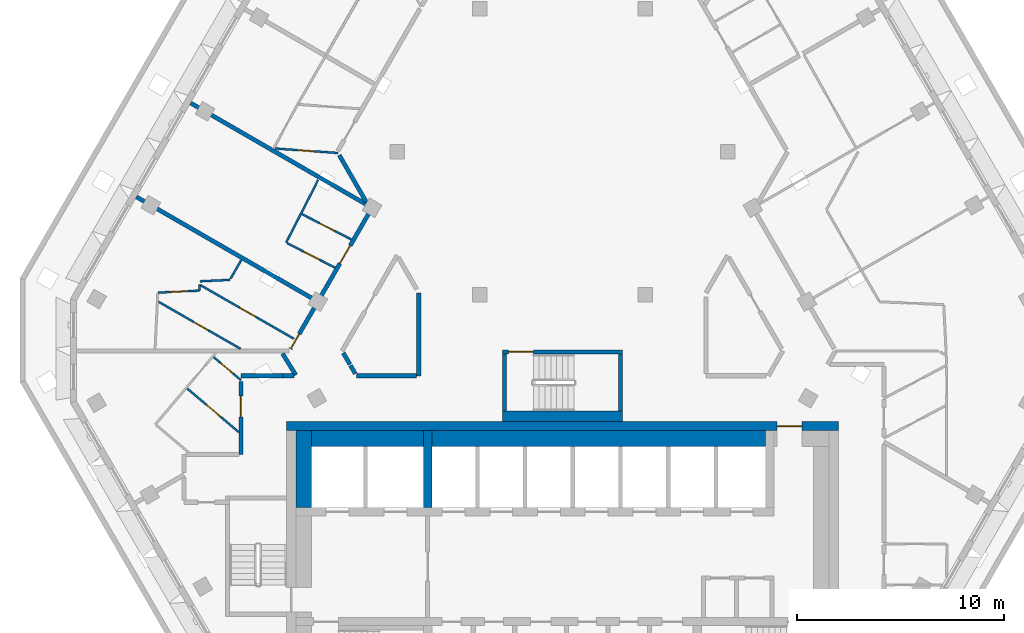
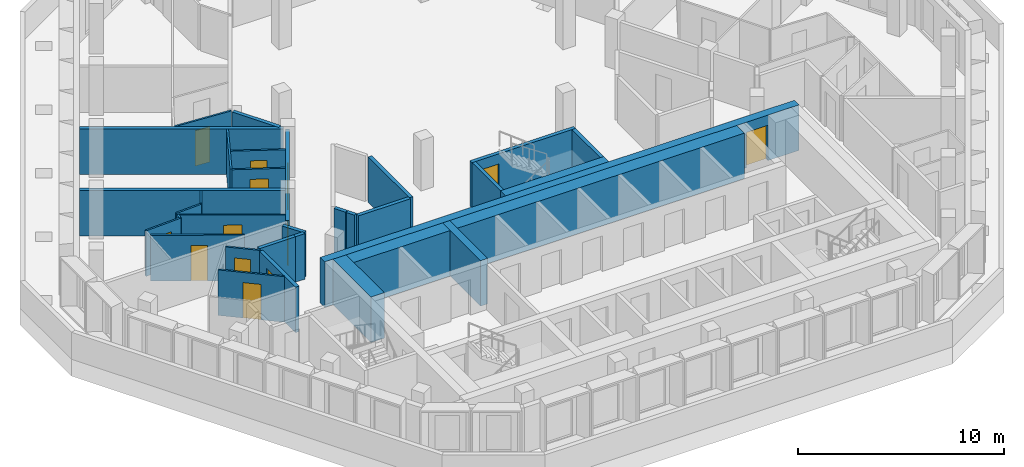
# One storey, part 4 of 15: 33 walls, 13 doors, 13 openings.
"""IFC4 building model written with IfcOpenShell, lengths in metres."""

from ifc_helpers import new_model, si_unit, direction, frame, frame_2d, origin, place, context, subcontext, project, spatial, rectangle, extrude, material, layer, layer_set, type_object, element, fill, save


model = new_model("IFC4")

# Units and contexts
model_context = context("Model", 3, precision=1e-05, world=origin(), true_north=direction((0.0, 1.0)))
body_context = subcontext(model_context, "Body", "Model", "MODEL_VIEW")
ifc_project = project(units=[si_unit("LENGTHUNIT", "METRE"), si_unit("AREAUNIT", "SQUARE_METRE"), si_unit("VOLUMEUNIT", "CUBIC_METRE"), si_unit("PLANEANGLEUNIT", "RADIAN"), si_unit("MASSUNIT", "GRAM", prefix="KILO")], contexts=[model_context])

# Site, building, storey
site_placement = place(None, origin())
site = spatial("IfcSite", under=ifc_project, at=site_placement, CompositionType="ELEMENT")
building_placement = place(site_placement, origin())
building = spatial("IfcBuilding", under=site, at=building_placement, Name="Beryl Residences", CompositionType="ELEMENT")
storey_placement = place(building_placement, frame((0.0, 0.0, 202.800048828125)))
storey = spatial("IfcBuildingStorey", under=building, at=storey_placement, Name="L62", CompositionType="ELEMENT", Elevation=202.800048828125)

# Wall, opening, door
ifc_material_1 = material(Name="Gypsum board partition on steel studs", Category="steel")
ifc_layer_1 = layer(ifc_material_1, 0.10009765625)
ifc_layer_set_1 = layer_set([ifc_layer_1], Name="PT1 partition 100 mm gypsum board on steel studs")
wall_type_1 = type_object("IfcWallType", Name="PT1 partition 100 mm gypsum board on steel studs", PredefinedType="PARTITIONING", material=ifc_layer_set_1)
wall_1_placement = place(storey_placement, frame((-12.56201171875, 4.9951171875, 0.0), z_axis=(0.0, 0.0, 1.0), x_axis=(0.889807979554, -0.456335139478, 0.0)))
wall_1 = element("IfcWall", 1, at=wall_1_placement, inside=storey, type_object=wall_type_1, Name="Wall PT1 L62 015", PredefinedType="PARTITIONING", context=body_context, shape_type="SweptSolid", body=[
    extrude(rectangle(XDim=2.680419921875, YDim=0.10009765625, at=frame_2d((1.34033203125, 0.0))), origin(), (0.0, 0.0, 1.0), 2.699951171875),
])
opening_1_placement = place(wall_1_placement, frame((0.965087890625, 0.0, 0.0)))
opening_1 = element("IfcOpeningElement", 2, at=opening_1_placement, cuts=wall_1, Name="Opening D1816", PredefinedType="OPENING", context=body_context, shape_type="SweptSolid", body=[
    extrude(rectangle(XDim=0.800048828125, YDim=2.10009765625, at=frame_2d((0.39990234375, 1.050048828125))), frame((0.0, 0.06005859375, 0.0), z_axis=(0.0, -1.0, 0.0), x_axis=(1.0, 0.0, 0.0)), (0.0, 0.0, 1.0), 0.1201171875),
])
ifc_material_2 = material(Name="Timber door leaf", Category="wood")
door_type_1 = type_object("IfcDoorType", Name="D3 bathroom door 800 x 2100 mm", OperationType="SINGLE_SWING_LEFT", PredefinedType="DOOR", material=ifc_material_2)
door_1_placement = place(opening_1_placement, origin())
door_1 = element("IfcDoor", 3, at=door_1_placement, inside=storey, type_object=door_type_1, Name="Door D1816 L62 001", OperationType="SINGLE_SWING_RIGHT", OverallHeight=2.10009765625, OverallWidth=0.800048828125, PredefinedType="DOOR", context=body_context, shape_type="SweptSolid", body=[
    extrude(rectangle(XDim=0.800048828125, YDim=2.10009765625, at=frame_2d((0.39990234375, 1.050048828125))), frame((0.0, 0.02490234375, 0.0), z_axis=(0.0, -1.0, 0.0), x_axis=(1.0, 0.0, 0.0)), (0.0, 0.0, 1.0), 0.050048828125),
])
fill(opening_1, door_1)

wall_2_placement = place(storey_placement, frame((-13.277099609375, 3.597900390625, 0.0), z_axis=(0.0, 0.0, 1.0), x_axis=(0.889780322893, -0.456389063182, 0.0)))
wall_2 = element("IfcWall", 4, at=wall_2_placement, inside=storey, type_object=wall_type_1, Name="Wall PT1 L62 016", PredefinedType="PARTITIONING", context=body_context, shape_type="SweptSolid", body=[
    extrude(rectangle(XDim=2.600830078125, YDim=0.10009765625, at=frame_2d((1.30029296875, 0.0))), origin(), (0.0, 0.0, 1.0), 2.699951171875),
])
opening_2_placement = place(wall_2_placement, frame((0.875, 0.0, 0.0)))
opening_2 = element("IfcOpeningElement", 5, at=opening_2_placement, cuts=wall_2, Name="Opening D1815", PredefinedType="OPENING", context=body_context, shape_type="SweptSolid", body=[
    extrude(rectangle(XDim=0.89990234375, YDim=2.10009765625, at=frame_2d((0.449951171875, 1.050048828125))), frame((0.0, 0.06005859375, 0.0), z_axis=(0.0, -1.0, 0.0), x_axis=(1.0, 0.0, 0.0)), (0.0, 0.0, 1.0), 0.1201171875),
])
ifc_material_3 = material(Name="Timber door leaf", Category="wood")
door_type_2 = type_object("IfcDoorType", Name="D2 room door 900 x 2100 mm", OperationType="SINGLE_SWING_LEFT", PredefinedType="DOOR", material=ifc_material_3)
door_2_placement = place(opening_2_placement, origin())
door_2 = element("IfcDoor", 6, at=door_2_placement, inside=storey, type_object=door_type_2, Name="Door D1815 L62 001", OperationType="SINGLE_SWING_LEFT", OverallHeight=2.10009765625, OverallWidth=0.89990234375, PredefinedType="DOOR", context=body_context, shape_type="SweptSolid", body=[
    extrude(rectangle(XDim=0.89990234375, YDim=2.10009765625, at=frame_2d((0.449951171875, 1.050048828125))), frame((0.0, 0.02490234375, 0.0), z_axis=(0.0, -1.0, 0.0), x_axis=(1.0, 0.0, 0.0)), (0.0, 0.0, 1.0), 0.050048828125),
])
fill(opening_2, door_2)

wall_3_placement = place(storey_placement, frame((-17.44091796875, 1.56201171875, 0.0), z_axis=(0.0, 0.0, 1.0), x_axis=(0.867419073464, -0.497578286293, 0.0)))
wall_3 = element("IfcWall", 7, at=wall_3_placement, inside=storey, type_object=wall_type_1, Name="Wall PT1 L62 017", PredefinedType="PARTITIONING", context=body_context, shape_type="SweptSolid", body=[
    extrude(rectangle(XDim=5.185302734375, YDim=0.10009765625, at=frame_2d((2.5927734375, 0.0))), origin(), (0.0, 0.0, 1.0), 2.699951171875),
])
opening_3_placement = place(wall_3_placement, frame((2.1650390625, 0.0, 0.0)))
opening_3 = element("IfcOpeningElement", 8, at=opening_3_placement, cuts=wall_3, Name="Opening D1818", PredefinedType="OPENING", context=body_context, shape_type="SweptSolid", body=[
    extrude(rectangle(XDim=0.89990234375, YDim=2.10009765625, at=frame_2d((0.449951171875, 1.050048828125))), frame((0.0, 0.06005859375, 0.0), z_axis=(0.0, -1.0, 0.0), x_axis=(1.0, 0.0, 0.0)), (0.0, 0.0, 1.0), 0.1201171875),
])
door_3_placement = place(opening_3_placement, origin())
door_3 = element("IfcDoor", 9, at=door_3_placement, inside=storey, type_object=door_type_2, Name="Door D1818 L62 001", OperationType="SINGLE_SWING_RIGHT", OverallHeight=2.10009765625, OverallWidth=0.89990234375, PredefinedType="DOOR", context=body_context, shape_type="SweptSolid", body=[
    extrude(rectangle(XDim=0.89990234375, YDim=2.10009765625, at=frame_2d((0.449951171875, 1.050048828125))), frame((0.0, 0.02490234375, 0.0), z_axis=(0.0, -1.0, 0.0), x_axis=(1.0, 0.0, 0.0)), (0.0, 0.0, 1.0), 0.050048828125),
])
fill(opening_3, door_3)

wall_4_placement = place(storey_placement, frame((-19.47998046875, 0.77099609375, 0.0), z_axis=(0.0, 0.0, 1.0), x_axis=(0.86748552317, -0.497462427817, 0.0)))
wall_4 = element("IfcWall", 10, at=wall_4_placement, inside=storey, type_object=wall_type_1, Name="Wall PT1 L62 018", PredefinedType="PARTITIONING", context=body_context, shape_type="SweptSolid", body=[
    extrude(rectangle(XDim=4.567138671875, YDim=0.10009765625, at=frame_2d((2.28369140625, 0.0))), origin(), (0.0, 0.0, 1.0), 2.699951171875),
])
opening_4_placement = place(wall_4_placement, frame((1.9560546875, 0.0, 0.0)))
opening_4 = element("IfcOpeningElement", 11, at=opening_4_placement, cuts=wall_4, Name="Opening D1819", PredefinedType="OPENING", context=body_context, shape_type="SweptSolid", body=[
    extrude(rectangle(XDim=0.800048828125, YDim=2.10009765625, at=frame_2d((0.39990234375, 1.050048828125))), frame((0.0, 0.06005859375, 0.0), z_axis=(0.0, -1.0, 0.0), x_axis=(1.0, 0.0, 0.0)), (0.0, 0.0, 1.0), 0.1201171875),
])
door_4_placement = place(opening_4_placement, origin())
door_4 = element("IfcDoor", 12, at=door_4_placement, inside=storey, type_object=door_type_1, Name="Door D1819 L62 001", OperationType="SINGLE_SWING_LEFT", OverallHeight=2.10009765625, OverallWidth=0.800048828125, PredefinedType="DOOR", context=body_context, shape_type="SweptSolid", body=[
    extrude(rectangle(XDim=0.800048828125, YDim=2.10009765625, at=frame_2d((0.39990234375, 1.050048828125))), frame((0.0, 0.02490234375, 0.0), z_axis=(0.0, -1.0, 0.0), x_axis=(1.0, 0.0, 0.0)), (0.0, 0.0, 1.0), 0.050048828125),
])
fill(opening_4, door_4)

wall_5_placement = place(storey_placement, frame((-13.865966796875, 8.158935546875, 0.0), z_axis=(0.0, 0.0, 1.0), x_axis=(0.9974481372, -0.071394772886, 0.0)))
wall_5 = element("IfcWall", 13, at=wall_5_placement, inside=storey, type_object=wall_type_1, Name="Wall PT1 L62 020", PredefinedType="PARTITIONING", context=body_context, shape_type="SweptSolid", body=[
    extrude(rectangle(XDim=3.0537109375, YDim=0.10009765625, at=frame_2d((1.52685546875, 0.0))), origin(), (0.0, 0.0, 1.0), 2.699951171875),
])
opening_5_placement = place(wall_5_placement, frame((1.09912109375, 0.0, 0.0)))
opening_5 = element("IfcOpeningElement", 14, at=opening_5_placement, cuts=wall_5, Name="Opening D1812", PredefinedType="OPENING", context=body_context, shape_type="SweptSolid", body=[
    extrude(rectangle(XDim=0.800048828125, YDim=2.10009765625, at=frame_2d((0.39990234375, 1.050048828125))), frame((0.0, 0.06005859375, 0.0), z_axis=(0.0, -1.0, 0.0), x_axis=(1.0, 0.0, 0.0)), (0.0, 0.0, 1.0), 0.1201171875),
])
door_5_placement = place(opening_5_placement, origin())
door_5 = element("IfcDoor", 15, at=door_5_placement, inside=storey, type_object=door_type_1, Name="Door D1812 L62 001", OperationType="SINGLE_SWING_RIGHT", OverallHeight=2.10009765625, OverallWidth=0.800048828125, PredefinedType="DOOR", context=body_context, shape_type="SweptSolid", body=[
    extrude(rectangle(XDim=0.800048828125, YDim=2.10009765625, at=frame_2d((0.39990234375, 1.050048828125))), frame((0.0, 0.02490234375, 0.0), z_axis=(0.0, -1.0, 0.0), x_axis=(1.0, 0.0, 0.0)), (0.0, 0.0, 1.0), 0.050048828125),
])
fill(opening_5, door_5)

wall_6_placement = place(storey_placement, frame((-16.81591796875, -1.89990234375, 0.0), z_axis=(0.0, 0.0, 1.0), x_axis=(0.763509851459, -0.645796180482, 0.0)))
wall_6 = element("IfcWall", 16, at=wall_6_placement, inside=storey, type_object=wall_type_1, Name="Wall PT1 L62 022", PredefinedType="PARTITIONING", context=body_context, shape_type="SweptSolid", body=[
    extrude(rectangle(XDim=1.7236328125, YDim=0.10009765625, at=frame_2d((0.86181640625, 0.0))), origin(), (0.0, 0.0, 1.0), 2.699951171875),
])
opening_6_placement = place(wall_6_placement, frame((0.43701171875, 0.0, 0.0)))
opening_6 = element("IfcOpeningElement", 17, at=opening_6_placement, cuts=wall_6, Name="Opening D1824", PredefinedType="OPENING", context=body_context, shape_type="SweptSolid", body=[
    extrude(rectangle(XDim=0.800048828125, YDim=2.10009765625, at=frame_2d((0.39990234375, 1.050048828125))), frame((0.0, 0.06005859375, 0.0), z_axis=(0.0, -1.0, 0.0), x_axis=(1.0, 0.0, 0.0)), (0.0, 0.0, 1.0), 0.1201171875),
])
door_6_placement = place(opening_6_placement, origin())
door_6 = element("IfcDoor", 18, at=door_6_placement, inside=storey, type_object=door_type_1, Name="Door D1824 L62 001", OperationType="SINGLE_SWING_RIGHT", OverallHeight=2.10009765625, OverallWidth=0.800048828125, PredefinedType="DOOR", context=body_context, shape_type="SweptSolid", body=[
    extrude(rectangle(XDim=0.800048828125, YDim=2.10009765625, at=frame_2d((0.39990234375, 1.050048828125))), frame((0.0, 0.02490234375, 0.0), z_axis=(0.0, -1.0, 0.0), x_axis=(1.0, 0.0, 0.0)), (0.0, 0.0, 1.0), 0.050048828125),
])
fill(opening_6, door_6)

wall_7_placement = place(storey_placement, frame((-18.094970703125, -3.412109375, 0.0), z_axis=(0.0, 0.0, 1.0), x_axis=(0.763564811502, -0.645731196889, 0.0)))
wall_7 = element("IfcWall", 19, at=wall_7_placement, inside=storey, type_object=wall_type_1, Name="Wall PT1 L62 023", PredefinedType="PARTITIONING", context=body_context, shape_type="SweptSolid", body=[
    extrude(rectangle(XDim=3.267333984375, YDim=0.10009765625, at=frame_2d((1.6337890625, 0.0))), origin(), (0.0, 0.0, 1.0), 2.699951171875),
])
opening_7_placement = place(wall_7_placement, frame((1.22412109375, 0.0, 0.0)))
opening_7 = element("IfcOpeningElement", 20, at=opening_7_placement, cuts=wall_7, Name="Opening D1822", PredefinedType="OPENING", context=body_context, shape_type="SweptSolid", body=[
    extrude(rectangle(XDim=0.89990234375, YDim=2.10009765625, at=frame_2d((0.449951171875, 1.050048828125))), frame((0.0, 0.06005859375, 0.0), z_axis=(0.0, -1.0, 0.0), x_axis=(1.0, 0.0, 0.0)), (0.0, 0.0, 1.0), 0.1201171875),
])
door_7_placement = place(opening_7_placement, origin())
door_7 = element("IfcDoor", 21, at=door_7_placement, inside=storey, type_object=door_type_2, Name="Door D1822 L62 001", OperationType="SINGLE_SWING_RIGHT", OverallHeight=2.10009765625, OverallWidth=0.89990234375, PredefinedType="DOOR", context=body_context, shape_type="SweptSolid", body=[
    extrude(rectangle(XDim=0.89990234375, YDim=2.10009765625, at=frame_2d((0.449951171875, 1.050048828125))), frame((0.0, 0.02490234375, 0.0), z_axis=(0.0, -1.0, 0.0), x_axis=(1.0, 0.0, 0.0)), (0.0, 0.0, 1.0), 0.050048828125),
])
fill(opening_7, door_7)

# Walls
wall_8_placement = place(storey_placement, frame((-16.006103515625, 1.8759765625, 0.0), z_axis=(0.0, 0.0, 1.0), x_axis=(0.499949632511, 0.866054481515, 0.0)))
element("IfcWall", 22, at=wall_8_placement, inside=storey, type_object=wall_type_1, Name="Wall PT1 L62 029", PredefinedType="PARTITIONING", context=body_context, shape_type="SweptSolid", body=[
    extrude(rectangle(XDim=1.05419921875, YDim=0.10009765625, at=frame_2d((0.527099609375, 0.0))), origin(), (0.0, 0.0, 1.0), 2.699951171875),
])
wall_9_placement = place(storey_placement, frame((-13.322021484375, 3.6220703125, 0.0), z_axis=(0.0, 0.0, 1.0), x_axis=(0.456157649007, 0.889898982611, 0.0)))
element("IfcWall", 23, at=wall_9_placement, inside=storey, type_object=wall_type_1, Name="Wall PT1 L62 033", PredefinedType="PARTITIONING", context=body_context, shape_type="SweptSolid", body=[
    extrude(rectangle(XDim=3.39794921875, YDim=0.10009765625, at=frame_2d((1.698974609375, 0.0))), origin(), (0.0, 0.0, 1.0), 2.699951171875),
])
wall_10_placement = place(storey_placement, frame((-17.5029296875, 1.306884765625, 0.0), z_axis=(0.0, 0.0, 1.0), x_axis=(0.049055201451, 0.99879606888, 0.0)))
element("IfcWall", 24, at=wall_10_placement, inside=storey, type_object=wall_type_1, Name="Wall PT1 L62 034", PredefinedType="PARTITIONING", context=body_context, shape_type="SweptSolid", body=[
    extrude(rectangle(XDim=0.303466796875, YDim=0.10009765625, at=frame_2d((0.15185546875, 0.0))), origin(), (0.0, 0.0, 1.0), 2.699951171875),
])

# Wall, opening, door
wall_11_placement = place(storey_placement, frame((-19.508056640625, 1.2080078125, 0.0), z_axis=(0.0, 0.0, 1.0), x_axis=(0.998786372978, 0.04925221978, 0.0)))
wall_11 = element("IfcWall", 25, at=wall_11_placement, inside=storey, type_object=wall_type_1, Name="Wall PT1 L62 045", PredefinedType="PARTITIONING", context=body_context, shape_type="SweptSolid", body=[
    extrude(rectangle(XDim=2.007568359375, YDim=0.10009765625, at=frame_2d((1.00390625, 0.0))), origin(), (0.0, 0.0, 1.0), 2.699951171875),
])
opening_8_placement = place(wall_11_placement, frame((0.553955078125, 0.0, 0.0)))
opening_8 = element("IfcOpeningElement", 26, at=opening_8_placement, cuts=wall_11, Name="Opening D1820", PredefinedType="OPENING", context=body_context, shape_type="SweptSolid", body=[
    extrude(rectangle(XDim=0.89990234375, YDim=2.10009765625, at=frame_2d((0.449951171875, 1.050048828125))), frame((0.0, 0.06005859375, 0.0), z_axis=(0.0, -1.0, 0.0), x_axis=(1.0, 0.0, 0.0)), (0.0, 0.0, 1.0), 0.1201171875),
])
door_8_placement = place(opening_8_placement, origin())
door_8 = element("IfcDoor", 27, at=door_8_placement, inside=storey, type_object=door_type_2, Name="Door D1820 L62 001", OperationType="SINGLE_SWING_RIGHT", OverallHeight=2.10009765625, OverallWidth=0.89990234375, PredefinedType="DOOR", context=body_context, shape_type="SweptSolid", body=[
    extrude(rectangle(XDim=0.89990234375, YDim=2.10009765625, at=frame_2d((0.449951171875, 1.050048828125))), frame((0.0, 0.02490234375, 0.0), z_axis=(0.0, -1.0, 0.0), x_axis=(1.0, 0.0, 0.0)), (0.0, 0.0, 1.0), 0.050048828125),
])
fill(opening_8, door_8)

# Walls
wall_12_placement = place(storey_placement, frame((-17.48095703125, 1.7529296875, 0.0), z_axis=(0.0, 0.0, 1.0), x_axis=(0.998793651238, 0.049104401505, 0.0)))
element("IfcWall", 28, at=wall_12_placement, inside=storey, type_object=wall_type_1, Name="Wall PT1 L62 046", PredefinedType="PARTITIONING", context=body_context, shape_type="SweptSolid", body=[
    extrude(rectangle(XDim=1.44677734375, YDim=0.10009765625, at=frame_2d((0.723388671875, 0.0))), origin(), (0.0, 0.0, 1.0), 2.699951171875),
])
ifc_material_4 = material(Name="Acoustic double stud gypsum board wall")
ifc_layer_2 = layer(ifc_material_4, 0.199951171875)
ifc_layer_set_2 = layer_set([ifc_layer_2], Name="PT3 party wall 200 mm acoustic double stud")
wall_type_2 = type_object("IfcWallType", Name="PT3 party wall 200 mm acoustic double stud", PredefinedType="PARTITIONING", material=ifc_layer_set_2)
wall_13_placement = place(storey_placement, frame((-20.5390625, 5.824951171875, 0.0), z_axis=(0.0, 0.0, 1.0), x_axis=(0.866028187226, -0.499995178908, 0.0)))
element("IfcWall", 29, at=wall_13_placement, inside=storey, type_object=wall_type_2, Name="Wall PT3 L62 002", PredefinedType="PARTITIONING", context=body_context, shape_type="SweptSolid", body=[
    extrude(rectangle(XDim=9.99609375, YDim=0.199951171875, at=frame_2d((4.998046875, 0.0))), origin(), (0.0, 0.0, 1.0), 2.699951171875),
])
wall_14_placement = place(storey_placement, frame((-17.926025390625, 10.35009765625, 0.0), z_axis=(0.0, 0.0, 1.0), x_axis=(0.866018411306, -0.500012111133, 0.0)))
element("IfcWall", 30, at=wall_14_placement, inside=storey, type_object=wall_type_2, Name="Wall PT3 L62 003", PredefinedType="PARTITIONING", context=body_context, shape_type="SweptSolid", body=[
    extrude(rectangle(XDim=9.898193359375, YDim=0.199951171875, at=frame_2d((4.94921875, 0.0))), origin(), (0.0, 0.0, 1.0), 2.699951171875),
])
wall_15_placement = place(storey_placement, frame((-13.49609375, -1.72998046875, 0.0), z_axis=(0.0, 0.0, 1.0), x_axis=(0.525458799645, -0.850819046493, 0.0)))
element("IfcWall", 31, at=wall_15_placement, inside=storey, type_object=wall_type_2, Name="Wall PT3 L62 006", PredefinedType="PARTITIONING", context=body_context, shape_type="SweptSolid", body=[
    extrude(rectangle(XDim=1.22021484375, YDim=0.199951171875, at=frame_2d((0.610107421875, 0.0))), origin(), (0.0, 0.0, 1.0), 2.699951171875),
])
ifc_material_5 = material(Name="Double stud gypsum board wall")
ifc_layer_3 = layer(ifc_material_5, 0.199951171875)
ifc_layer_set_3 = layer_set([ifc_layer_3], Name="PT4 corridor wall 200 mm double stud")
wall_type_3 = type_object("IfcWallType", Name="PT4 corridor wall 200 mm double stud", PredefinedType="PARTITIONING", material=ifc_layer_set_3)
wall_16_placement = place(storey_placement, frame((-10.762939453125, 7.841064453125, 0.0), z_axis=(0.0, 0.0, 1.0), x_axis=(0.499980792466, -0.866036492975, 0.0)))
element("IfcWall", 32, at=wall_16_placement, inside=storey, type_object=wall_type_3, Name="Wall PT4 L62 001", PredefinedType="PARTITIONING", context=body_context, shape_type="SweptSolid", body=[
    extrude(rectangle(XDim=2.61767578125, YDim=0.199951171875, at=frame_2d((1.308837890625, 0.0))), origin(), (0.0, 0.0, 1.0), 2.699951171875),
])
wall_17_placement = place(storey_placement, frame((-10.56494140625, -1.700927734375, 0.0), z_axis=(0.0, 0.0, 1.0), x_axis=(0.499512735409, -0.866306543416, 0.0)))
element("IfcWall", 33, at=wall_17_placement, inside=storey, type_object=wall_type_3, Name="Wall PT4 L62 003", PredefinedType="PARTITIONING", context=body_context, shape_type="SweptSolid", body=[
    extrude(rectangle(XDim=0.638427734375, YDim=0.199951171875, at=frame_2d((0.3193359375, 0.0))), origin(), (0.0, 0.0, 1.0), 2.699951171875),
])
wall_18_placement = place(storey_placement, frame((-10.217041015625, -2.303955078125, 0.0), z_axis=(0.0, 0.0, 1.0), x_axis=(0.499013081552, -0.866594452117, 0.0)))
element("IfcWall", 34, at=wall_18_placement, inside=storey, type_object=wall_type_3, Name="Wall PT4 L62 004", PredefinedType="PARTITIONING", context=body_context, shape_type="SweptSolid", body=[
    extrude(rectangle(XDim=0.45703125, YDim=0.199951171875, at=frame_2d((0.228515625, 0.0))), origin(), (0.0, 0.0, 1.0), 2.699951171875),
])
wall_19_placement = place(storey_placement, frame((-13.471923828125, -2.798095703125, 0.0), z_axis=(0.0, 0.0, 1.0), x_axis=(1.0, 0.0, 0.0)))
element("IfcWall", 35, at=wall_19_placement, inside=storey, type_object=wall_type_3, Name="Wall PT4 L62 014", PredefinedType="PARTITIONING", context=body_context, shape_type="SweptSolid", body=[
    extrude(rectangle(XDim=0.534912109375, YDim=0.199951171875, at=frame_2d((0.267578125, 0.0))), origin(), (0.0, 0.0, 1.0), 2.699951171875),
])
wall_20_placement = place(storey_placement, frame((-15.4990234375, -2.800048828125, 0.0), z_axis=(0.0, 0.0, 1.0), x_axis=(1.0, 0.0, 0.0)))
element("IfcWall", 36, at=wall_20_placement, inside=storey, type_object=wall_type_3, Name="Wall PT4 L62 016", PredefinedType="PARTITIONING", context=body_context, shape_type="SweptSolid", body=[
    extrude(rectangle(XDim=2.02490234375, YDim=0.199951171875, at=frame_2d((1.012451171875, 0.0))), origin(), (0.0, 0.0, 1.0), 2.699951171875),
])
wall_21_placement = place(storey_placement, frame((-9.929931640625, -2.800048828125, 0.0), z_axis=(0.0, 0.0, 1.0), x_axis=(1.0, 0.0, 0.0)))
element("IfcWall", 37, at=wall_21_placement, inside=storey, type_object=wall_type_3, Name="Wall PT4 L62 017", PredefinedType="PARTITIONING", context=body_context, shape_type="SweptSolid", body=[
    extrude(rectangle(XDim=2.90087890625, YDim=0.199951171875, at=frame_2d((1.450439453125, 0.0))), origin(), (0.0, 0.0, 1.0), 2.699951171875),
])

# Wall, openings, doors
wall_22_placement = place(storey_placement, frame((-13.10595703125, -1.5, 0.0), z_axis=(0.0, 0.0, 1.0), x_axis=(0.500025705601, 0.86601056214, 0.0)))
wall_22 = element("IfcWall", 38, at=wall_22_placement, inside=storey, type_object=wall_type_3, Name="Wall PT4 L62 026", PredefinedType="PARTITIONING", context=body_context, shape_type="SweptSolid", body=[
    extrude(rectangle(XDim=7.7353515625, YDim=0.199951171875, at=frame_2d((3.86767578125, 0.0))), origin(), (0.0, 0.0, 1.0), 2.699951171875),
])
opening_9_placement = place(wall_22_placement, frame((4.748046875, 0.0, 0.0)))
opening_9 = element("IfcOpeningElement", 39, at=opening_9_placement, cuts=wall_22, Name="Opening D1814", PredefinedType="OPENING", context=body_context, shape_type="SweptSolid", body=[
    extrude(rectangle(XDim=1.0, YDim=2.10009765625, at=frame_2d((0.5, 1.050048828125))), frame((0.0, 0.10986328125, 0.0), z_axis=(0.0, -1.0, 0.0), x_axis=(1.0, 0.0, 0.0)), (0.0, 0.0, 1.0), 0.219970703125),
])
opening_10_placement = place(wall_22_placement, frame((0.030029296875, 0.0, 0.0)))
opening_10 = element("IfcOpeningElement", 40, at=opening_10_placement, cuts=wall_22, Name="Opening D1817", PredefinedType="OPENING", context=body_context, shape_type="SweptSolid", body=[
    extrude(rectangle(XDim=0.800048828125, YDim=2.10009765625, at=frame_2d((0.39990234375, 1.050048828125))), frame((0.0, 0.10986328125, 0.0), z_axis=(0.0, -1.0, 0.0), x_axis=(1.0, 0.0, 0.0)), (0.0, 0.0, 1.0), 0.219970703125),
])
ifc_material_6 = material(Name="Timber door leaf", Category="wood")
door_type_3 = type_object("IfcDoorType", Name="D1 flat entrance door 1000 x 2100 mm", OperationType="SINGLE_SWING_LEFT", PredefinedType="DOOR", material=ifc_material_6)
door_9_placement = place(opening_9_placement, origin())
door_9 = element("IfcDoor", 41, at=door_9_placement, inside=storey, type_object=door_type_3, Name="Door D1814 L62 001", OperationType="SINGLE_SWING_RIGHT", OverallHeight=2.10009765625, OverallWidth=1.0, PredefinedType="DOOR", context=body_context, shape_type="SweptSolid", body=[
    extrude(rectangle(XDim=1.0, YDim=2.10009765625, at=frame_2d((0.5, 1.050048828125))), frame((0.0, 0.02490234375, 0.0), z_axis=(0.0, -1.0, 0.0), x_axis=(1.0, 0.0, 0.0)), (0.0, 0.0, 1.0), 0.050048828125),
])
fill(opening_9, door_9)
ifc_material_7 = material(Name="Timber door leaf", Category="wood")
door_type_4 = type_object("IfcDoorType", Name="D12 flat entrance door 800 x 2100 mm", OperationType="SINGLE_SWING_LEFT", PredefinedType="DOOR", material=ifc_material_7)
door_10_placement = place(opening_10_placement, origin())
door_10 = element("IfcDoor", 42, at=door_10_placement, inside=storey, type_object=door_type_4, Name="Door D1817 L62 001", OperationType="SINGLE_SWING_LEFT", OverallHeight=2.10009765625, OverallWidth=0.800048828125, PredefinedType="DOOR", context=body_context, shape_type="SweptSolid", body=[
    extrude(rectangle(XDim=0.800048828125, YDim=2.10009765625, at=frame_2d((0.39990234375, 1.050048828125))), frame((0.0, 0.02490234375, 0.0), z_axis=(0.0, -1.0, 0.0), x_axis=(1.0, 0.0, 0.0)), (0.0, 0.0, 1.0), 0.050048828125),
])
fill(opening_10, door_10)

# Wall
wall_23_placement = place(storey_placement, frame((-6.927978515625, -2.799072265625, 0.0), z_axis=(0.0, 0.0, 1.0), x_axis=(0.0, 1.0, 0.0)))
element("IfcWall", 43, at=wall_23_placement, inside=storey, type_object=wall_type_3, Name="Wall PT4 L62 031", PredefinedType="PARTITIONING", context=body_context, shape_type="SweptSolid", body=[
    extrude(rectangle(XDim=3.9990234375, YDim=0.199951171875, at=frame_2d((1.99951171875, 0.0))), origin(), (0.0, 0.0, 1.0), 2.699951171875),
])

# Wall, opening, door
wall_24_placement = place(storey_placement, frame((-15.5, -6.59912109375, 0.0), z_axis=(0.0, 0.0, 1.0), x_axis=(0.0, 1.0, 0.0)))
wall_24 = element("IfcWall", 44, at=wall_24_placement, inside=storey, type_object=wall_type_3, Name="Wall PT4 L62 032", PredefinedType="PARTITIONING", context=body_context, shape_type="SweptSolid", body=[
    extrude(rectangle(XDim=3.52001953125, YDim=0.199951171875, at=frame_2d((1.760009765625, 0.0))), origin(), (0.0, 0.0, 1.0), 2.699951171875),
])
opening_11_placement = place(wall_24_placement, frame((1.81494140625, 0.0, 0.0)))
opening_11 = element("IfcOpeningElement", 45, at=opening_11_placement, cuts=wall_24, Name="Opening D1821", PredefinedType="OPENING", context=body_context, shape_type="SweptSolid", body=[
    extrude(rectangle(XDim=1.0, YDim=2.10009765625, at=frame_2d((0.5, 1.050048828125))), frame((0.0, 0.10986328125, 0.0), z_axis=(0.0, -1.0, 0.0), x_axis=(1.0, 0.0, 0.0)), (0.0, 0.0, 1.0), 0.219970703125),
])
door_11_placement = place(opening_11_placement, origin())
door_11 = element("IfcDoor", 46, at=door_11_placement, inside=storey, type_object=door_type_3, Name="Door D1821 L62 001", OperationType="SINGLE_SWING_LEFT", OverallHeight=2.10009765625, OverallWidth=1.0, PredefinedType="DOOR", context=body_context, shape_type="SweptSolid", body=[
    extrude(rectangle(XDim=1.0, YDim=2.10009765625, at=frame_2d((0.5, 1.050048828125))), frame((0.0, 0.02490234375, 0.0), z_axis=(0.0, -1.0, 0.0), x_axis=(1.0, 0.0, 0.0)), (0.0, 0.0, 1.0), 0.050048828125),
])
fill(opening_11, door_11)

ifc_material_8 = material(Name="Concrete C40/50", Category="concrete")
ifc_layer_4 = layer(ifc_material_8, 0.199951171875)
ifc_layer_set_4 = layer_set([ifc_layer_4], Name="PT5 stair enclosure wall 200 mm reinforced concrete C40/50")
wall_type_4 = type_object("IfcWallType", Name="PT5 stair enclosure wall 200 mm reinforced concrete C40/50", PredefinedType="SOLIDWALL", material=ifc_layer_set_4)
wall_25_placement = place(storey_placement, frame((-2.89990234375, -1.64990234375, 0.0), z_axis=(0.0, 0.0, 1.0), x_axis=(1.0, 0.0, 0.0)))
wall_25 = element("IfcWall", 47, at=wall_25_placement, inside=storey, type_object=wall_type_4, Name="Wall PT5 L62 001", PredefinedType="SOLIDWALL", context=body_context, shape_type="SweptSolid", body=[
    extrude(rectangle(XDim=5.7998046875, YDim=0.199951171875, at=frame_2d((2.89990234375, 0.0))), origin(), (0.0, 0.0, 1.0), 2.699951171875),
])
opening_12_placement = place(wall_25_placement, frame((0.300048828125, 0.0, 0.0)))
opening_12 = element("IfcOpeningElement", 48, at=opening_12_placement, cuts=wall_25, Name="Opening DS04", PredefinedType="OPENING", context=body_context, shape_type="SweptSolid", body=[
    extrude(rectangle(XDim=1.199951171875, YDim=2.10009765625, at=frame_2d((0.60009765625, 1.050048828125))), frame((0.0, 0.10986328125, 0.0), z_axis=(0.0, -1.0, 0.0), x_axis=(1.0, 0.0, 0.0)), (0.0, 0.0, 1.0), 0.219970703125),
])
ifc_material_9 = material(Name="Steel door leaf in steel frame", Category="steel")
door_type_5 = type_object("IfcDoorType", Name="D4 stair door 1200 x 2100 mm", OperationType="SINGLE_SWING_LEFT", PredefinedType="DOOR", material=ifc_material_9)
door_12_placement = place(opening_12_placement, origin())
door_12 = element("IfcDoor", 49, at=door_12_placement, inside=storey, type_object=door_type_5, Name="Door DS04 L62 001", OperationType="SINGLE_SWING_LEFT", OverallHeight=2.10009765625, OverallWidth=1.199951171875, PredefinedType="DOOR", context=body_context, shape_type="SweptSolid", body=[
    extrude(rectangle(XDim=1.199951171875, YDim=2.10009765625, at=frame_2d((0.60009765625, 1.050048828125))), frame((0.0, 0.02490234375, 0.0), z_axis=(0.0, -1.0, 0.0), x_axis=(1.0, 0.0, 0.0)), (0.0, 0.0, 1.0), 0.050048828125),
])
fill(opening_12, door_12)

# Walls
for number, where, z_axis, x_axis, name in (
    (50, (-2.800048828125, -4.5, 0.0), (0.0, 0.0, 1.0), (0.0, 1.0, 0.0), "Wall PT5 L62 002"),
    (51, (2.800048828125, -4.5, 0.0), (0.0, 0.0, 1.0), (0.0, 1.0, 0.0), "Wall PT5 L62 003"),
):
    element("IfcWall", number, at=place(storey_placement, frame(where, z_axis=z_axis, x_axis=x_axis)), inside=storey, type_object=wall_type_4, Name=name, PredefinedType="SOLIDWALL", context=body_context, shape_type="SweptSolid", body=[
        extrude(rectangle(XDim=2.75, YDim=0.199951171875, at=frame_2d((1.375, 0.0))), origin(), (0.0, 0.0, 1.0), 2.699951171875),
    ])
ifc_material_10 = material(Name="Concrete C40/50", Category="concrete")
ifc_layer_5 = layer(ifc_material_10, 0.5)
ifc_layer_set_5 = layer_set([ifc_layer_5], Name="PT5-500 stair enclosure wall 500 mm")
wall_type_5 = type_object("IfcWallType", Name="PT5-500 stair enclosure wall 500 mm", PredefinedType="SOLIDWALL", material=ifc_layer_set_5)
wall_26_placement = place(storey_placement, frame((-2.89990234375, -4.75, 0.0), z_axis=(0.0, 0.0, 1.0), x_axis=(1.0, 0.0, 0.0)))
element("IfcWall", 52, at=wall_26_placement, inside=storey, type_object=wall_type_5, Name="Wall PT5-500 L62 001", PredefinedType="SOLIDWALL", context=body_context, shape_type="SweptSolid", body=[
    extrude(rectangle(XDim=5.7998046875, YDim=0.5, at=frame_2d((2.89990234375, 0.0))), origin(), (0.0, 0.0, 1.0), 2.699951171875),
])
ifc_material_11 = material(Name="Concrete C40/50", Category="concrete")
ifc_layer_6 = layer(ifc_material_11, 0.75)
ifc_layer_set_6 = layer_set([ifc_layer_6], Name="PT6-750 lift shaft wall 750 mm")
wall_type_6 = type_object("IfcWallType", Name="PT6-750 lift shaft wall 750 mm", PredefinedType="SOLIDWALL", material=ifc_layer_set_6)
wall_27_placement = place(storey_placement, frame((-12.47509765625, -9.14990234375, 0.0), z_axis=(0.0, 0.0, 1.0), x_axis=(0.0, 1.0, 0.0)))
element("IfcWall", 53, at=wall_27_placement, inside=storey, type_object=wall_type_6, Name="Lift shaft wall 07", PredefinedType="SOLIDWALL", context=body_context, shape_type="SweptSolid", body=[
    extrude(rectangle(XDim=3.699951171875, YDim=0.75, at=frame_2d((1.85009765625, 0.0))), origin(), (0.0, 0.0, 1.0), 2.699951171875),
])
wall_28_placement = place(storey_placement, frame((-12.10009765625, -5.824951171875, 0.0), z_axis=(0.0, 0.0, 1.0), x_axis=(1.0, 0.0, 0.0)))
element("IfcWall", 54, at=wall_28_placement, inside=storey, type_object=wall_type_6, Name="Lift shaft wall 09", PredefinedType="SOLIDWALL", context=body_context, shape_type="SweptSolid", body=[
    extrude(rectangle(XDim=5.400146484375, YDim=0.75, at=frame_2d((2.7001953125, 0.0))), origin(), (0.0, 0.0, 1.0), 2.699951171875),
])
wall_29_placement = place(storey_placement, frame((-6.300048828125, -5.824951171875, 0.0), z_axis=(0.0, 0.0, 1.0), x_axis=(1.0, 0.0, 0.0)))
element("IfcWall", 55, at=wall_29_placement, inside=storey, type_object=wall_type_6, Name="Lift shaft wall 14", PredefinedType="SOLIDWALL", context=body_context, shape_type="SweptSolid", body=[
    extrude(rectangle(XDim=16.10009765625, YDim=0.75, at=frame_2d((8.050048828125, 0.0))), origin(), (0.0, 0.0, 1.0), 2.699951171875),
])
ifc_material_12 = material(Name="Concrete C50/60", Category="concrete")
ifc_layer_7 = layer(ifc_material_12, 0.39990234375)
ifc_layer_set_7 = layer_set([ifc_layer_7], Name="SW10 core internal wall 400 mm C50/60")
wall_type_7 = type_object("IfcWallType", Name="SW10 core internal wall 400 mm C50/60", PredefinedType="SHEAR", material=ifc_layer_set_7)
wall_30_placement = place(storey_placement, frame((-6.5, -9.14990234375, 0.0), z_axis=(0.0, 0.0, 1.0), x_axis=(0.0, 1.0, 0.0)))
element("IfcWall", 56, at=wall_30_placement, inside=storey, type_object=wall_type_7, Name="Core wall XN1 L62", PredefinedType="SHEAR", context=body_context, shape_type="SweptSolid", body=[
    extrude(rectangle(XDim=3.699951171875, YDim=0.39990234375, at=frame_2d((1.85009765625, 0.0))), origin(), (0.0, 0.0, 1.0), 2.699951171875),
])

# Wall, opening, door
ifc_material_13 = material(Name="Concrete C50/60", Category="concrete")
ifc_layer_8 = layer(ifc_material_13, 0.449951171875)
ifc_layer_set_8 = layer_set([ifc_layer_8], Name="SW5 core outer wall 450 mm C50/60")
wall_type_8 = type_object("IfcWallType", Name="SW5 core outer wall 450 mm C50/60", PredefinedType="SHEAR", material=ifc_layer_set_8)
wall_31_placement = place(storey_placement, frame((-13.300048828125, -5.22509765625, 0.0), z_axis=(0.0, 0.0, 1.0), x_axis=(1.0, 0.0, 0.0)))
wall_31 = element("IfcWall", 57, at=wall_31_placement, inside=storey, type_object=wall_type_8, Name="Core wall N L62", PredefinedType="SHEAR", context=body_context, shape_type="SweptSolid", body=[
    extrude(rectangle(XDim=26.60009765625, YDim=0.449951171875, at=frame_2d((13.300048828125, 0.0))), origin(), (0.0, 0.0, 1.0), 2.699951171875),
])
opening_13_placement = place(wall_31_placement, frame((23.64990234375, 0.0, 0.0)))
opening_13 = element("IfcOpeningElement", 58, at=opening_13_placement, cuts=wall_31, Name="Opening FD-NORTH", PredefinedType="OPENING", context=body_context, shape_type="SweptSolid", body=[
    extrude(rectangle(XDim=1.199951171875, YDim=2.10009765625, at=frame_2d((0.60009765625, 1.050048828125))), frame((0.0, 0.23486328125, 0.0), z_axis=(0.0, -1.0, 0.0), x_axis=(1.0, 0.0, 0.0)), (0.0, 0.0, 1.0), 0.469970703125),
])
ifc_material_14 = material(Name="Steel door leaf in steel frame", Category="steel")
door_type_6 = type_object("IfcDoorType", Name="D22 lobby door 1200 x 2100 mm", OperationType="DOUBLE_DOOR_SINGLE_SWING", PredefinedType="DOOR", material=ifc_material_14)
door_13_placement = place(opening_13_placement, origin())
door_13 = element("IfcDoor", 59, at=door_13_placement, inside=storey, type_object=door_type_6, Name="Door FD-NORTH L62 001", OperationType="DOUBLE_DOOR_SINGLE_SWING", OverallHeight=2.10009765625, OverallWidth=1.199951171875, PredefinedType="DOOR", context=body_context, shape_type="SweptSolid", body=[
    extrude(rectangle(XDim=1.199951171875, YDim=2.10009765625, at=frame_2d((0.60009765625, 1.050048828125))), frame((0.0, 0.02490234375, 0.0), z_axis=(0.0, -1.0, 0.0), x_axis=(1.0, 0.0, 0.0)), (0.0, 0.0, 1.0), 0.050048828125),
])
fill(opening_13, door_13)

save(model, "model.ifc")
